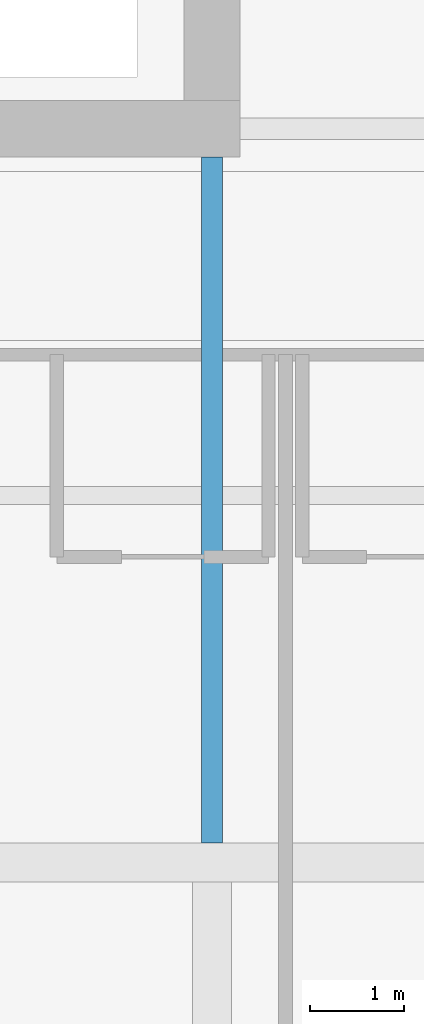
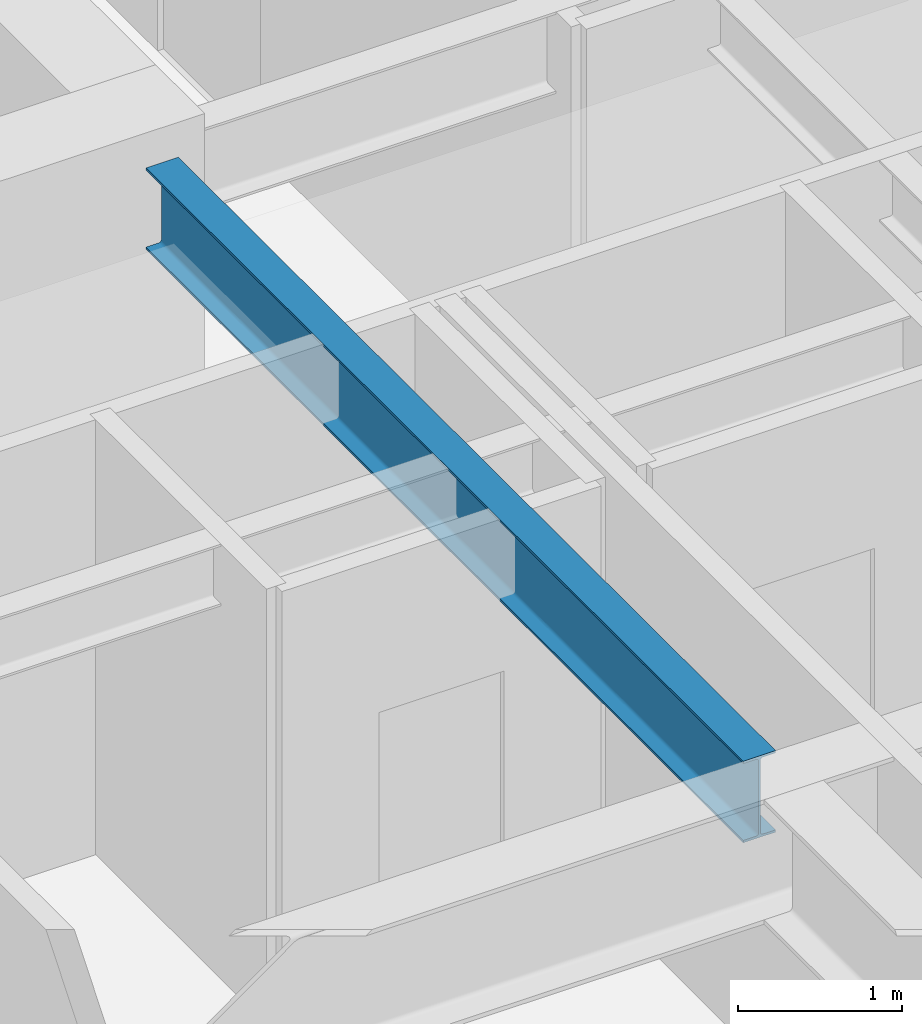
# One storey, part 12 of 38: 1 beam.
"""IFC4 building model written with IfcOpenShell, lengths in metres."""

from ifc_helpers import new_model, si_unit, direction, frame, origin, origin_2d, place, context, subcontext, project, spatial, i_section, extrude, material, material_profile, profile_set, type_object, element, save


model = new_model("IFC4")

# Units and contexts
model_context = context("Model", 3, precision=1e-05, world=origin(), true_north=direction((0.0, 1.0)))
body_context = subcontext(model_context, "Body", "Model", "MODEL_VIEW")
ifc_project = project(units=[si_unit("LENGTHUNIT", "METRE"), si_unit("AREAUNIT", "SQUARE_METRE"), si_unit("VOLUMEUNIT", "CUBIC_METRE"), si_unit("PLANEANGLEUNIT", "RADIAN"), si_unit("MASSUNIT", "GRAM", prefix="KILO")], contexts=[model_context])

# Site, building, storey
site_placement = place(None, origin())
site = spatial("IfcSite", under=ifc_project, at=site_placement, CompositionType="ELEMENT")
building_placement = place(site_placement, origin())
building = spatial("IfcBuilding", under=site, at=building_placement, Name="Drelvath Grand Hotel", CompositionType="ELEMENT")
storey_placement = place(building_placement, frame((0.0, 0.0, 57.699951171875)))
storey = spatial("IfcBuildingStorey", under=building, at=storey_placement, Name="L13", CompositionType="ELEMENT", Elevation=57.699951171875)

# Beam
ifc_material = material(Name="Steel ASTM A992 Gr 50", Category="steel")
ifc_material_profile = material_profile(ifc_material, i_section(OverallWidth=0.228271484375, OverallDepth=0.607666015625, WebThickness=0.01123046875, FlangeThickness=0.017333984375, FilletRadius=0.02001953125, at=origin_2d()), Name="W24X76")
ifc_profile_set = profile_set([ifc_material_profile], Name="Steel ASTM A992 Gr 50")
beam_type = type_object("IfcBeamType", Name="Primary Floor Girder W24X76", PredefinedType="BEAM", material=ifc_profile_set)
beam_placement = place(storey_placement, frame((8.39990234375, 11.00927734375, 2.936279296875), z_axis=(0.0, 1.0, 0.0), x_axis=(-1.0, 0.0, 0.0)))
element("IfcBeam", 1, at=beam_placement, inside=storey, type_object=beam_type, Name="L13 South Core Tie 6", PredefinedType="BEAM", context=body_context, shape_type="SweptSolid", body=[
    extrude(i_section(OverallWidth=0.228271484375, OverallDepth=0.607666015625, WebThickness=0.01123046875, FlangeThickness=0.017333984375, FilletRadius=0.02001953125, at=origin_2d()), origin(), (0.0, 0.0, 1.0), 7.290771484375),
])

save(model, "model.ifc")
